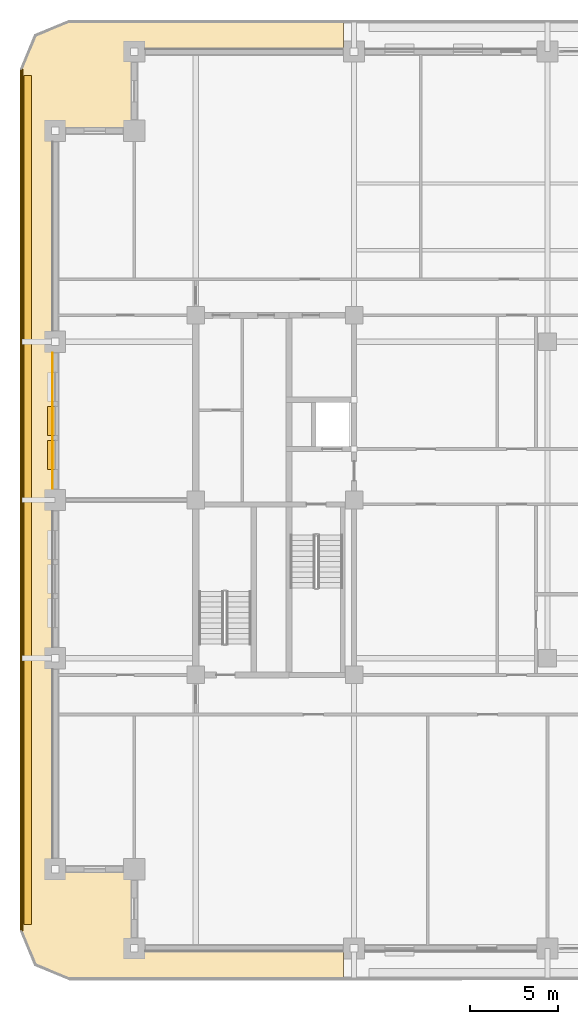
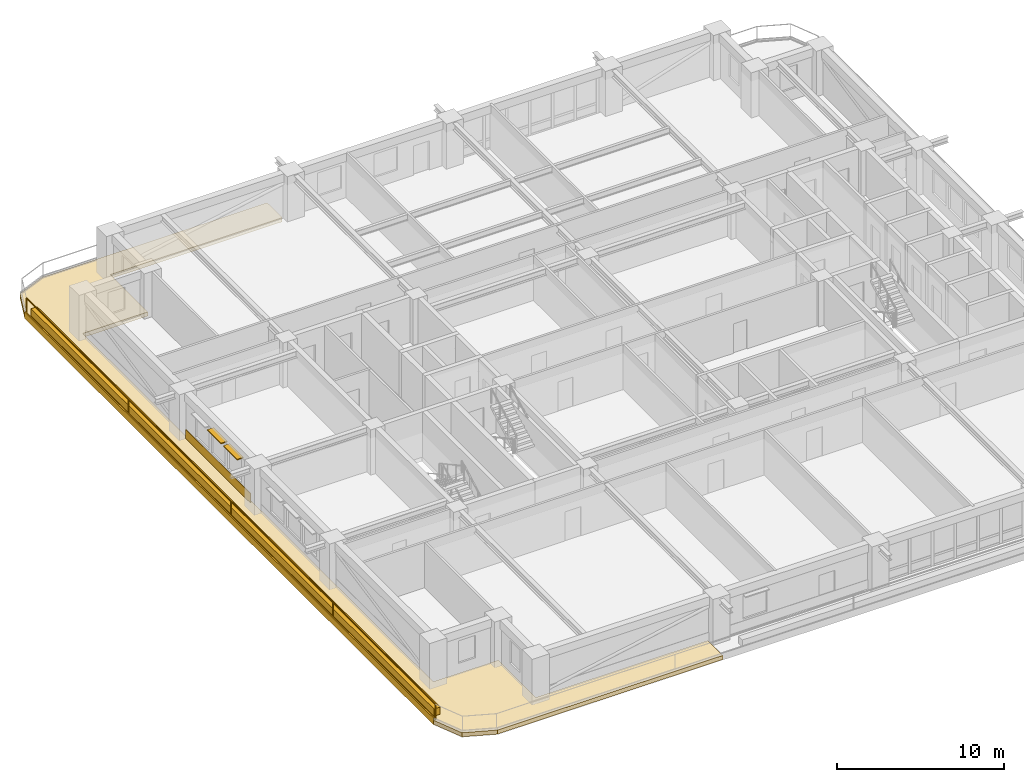
# One storey, part 15 of 20: 4 coverings, 2 shading devices, 1 railing.
"""IFC4 building model written with IfcOpenShell, lengths in metres."""

from ifc_helpers import new_model, si_unit, direction, frame, frame_2d, origin, origin_2d, place, context, subcontext, project, spatial, polyline, rectangle, outline, extrude, material, layer, layer_set, type_object, element, save


model = new_model("IFC4")

# Units and contexts
model_context = context("Model", 3, precision=1e-05, world=origin(), true_north=direction((0.0, 1.0)))
body_context = subcontext(model_context, "Body", "Model", "MODEL_VIEW")
ifc_project = project(units=[si_unit("LENGTHUNIT", "METRE"), si_unit("AREAUNIT", "SQUARE_METRE"), si_unit("VOLUMEUNIT", "CUBIC_METRE"), si_unit("PLANEANGLEUNIT", "RADIAN"), si_unit("MASSUNIT", "GRAM", prefix="KILO")], contexts=[model_context])

# Site, building, storey
site_placement = place(None, origin())
site = spatial("IfcSite", under=ifc_project, at=site_placement, CompositionType="ELEMENT")
building_placement = place(site_placement, origin())
building = spatial("IfcBuilding", under=site, at=building_placement, Name="Zulmaris Gate Convention Tower", CompositionType="ELEMENT")
storey_placement = place(building_placement, frame((0.0, 0.0, 142.769775390625)))
storey = spatial("IfcBuildingStorey", under=building, at=storey_placement, Name="L36", CompositionType="ELEMENT", Elevation=142.769775390625)

# Coverings
ifc_material_1 = material(Name="Precast concrete C40/50", Category="concrete")
ifc_layer_1 = layer(ifc_material_1, 0.0400390625, Name="Precast concrete C40/50")
ifc_layer_set_1 = layer_set([ifc_layer_1], Name="Precast concrete C40/50")
covering_type_1 = type_object("IfcCoveringType", Name="CLAD-SPANDREL-PRECAST", PredefinedType="CLADDING", material=ifc_layer_set_1)
covering_1_placement = place(storey_placement, frame((-28.14990234375, 8.3701171875, 0.0), z_axis=(0.0, 0.0, 1.0), x_axis=(0.0, -1.0, 0.0)))
element("IfcCovering", 1, at=covering_1_placement, inside=storey, type_object=covering_type_1, Name="CLD-L36-W-2_0", PredefinedType="CLADDING", context=body_context, shape_type="SweptSolid", body=[
    extrude(rectangle(XDim=7.740234375, YDim=0.0400390625, at=frame_2d((3.8701171875, 0.0))), origin(), (0.0, 0.0, 1.0), 0.679931640625),
])
ifc_material_2 = material(Name="White Glazed Architectural Precast Concrete C40/50", Category="concrete")
ifc_layer_2 = layer(ifc_material_2, 0.239990234375, Name="White Glazed Architectural Precast Concrete C40/50")
ifc_layer_set_2 = layer_set([ifc_layer_2], Name="White Glazed Architectural Precast Concrete C40/50")
covering_type_2 = type_object("IfcCoveringType", Name="CLAD-TRAY-DECK", PredefinedType="CLADDING", material=ifc_layer_set_2)
covering_2_placement = place(storey_placement, frame((0.0, 0.0, -0.324951171875)))
element("IfcCovering", 2, at=covering_2_placement, inside=storey, type_object=covering_type_2, Name="L36 West Rounded-Fascia Planter Tray Deck", PredefinedType="CLADDING", context=body_context, shape_type="SweptSolid", body=[
    extrude(outline(polyline([(-30.0, 24.5), (-29.179931640625, 26.47998046875), (-27.199951171875, 27.300048828125), (-11.60205078125, 27.300048828125), (-11.60205078125, 25.5), (-23.5, 25.5), (-23.5, 21.0), (-28.0, 21.0), (-28.0, -21.0), (-23.5, -21.0), (-23.5, -25.5), (-11.60205078125, -25.5), (-11.60205078125, -27.300048828125), (-27.199951171875, -27.300048828125), (-29.179931640625, -26.47998046875), (-30.0, -24.5), (-30.0, 24.5)])), origin(), (0.0, 0.0, 1.0), 0.300048828125),
])
ifc_layer_3 = layer(ifc_material_2, 0.080078125, Name="White Glazed Architectural Precast Concrete C40/50")
ifc_layer_set_3 = layer_set([ifc_layer_3], Name="White Glazed Architectural Precast Concrete C40/50")
covering_type_3 = type_object("IfcCoveringType", Name="CLAD-TRAY-FASCIA", PredefinedType="CLADDING", material=ifc_layer_set_3)
covering_3_placement = place(storey_placement, frame((-29.9599609375, 24.5, -0.364990234375), z_axis=(0.0, 0.0, 1.0), x_axis=(0.0, -1.0, 0.0)))
element("IfcCovering", 3, at=covering_3_placement, inside=storey, type_object=covering_type_3, Name="FSC-L36-TR-11", PredefinedType="CLADDING", context=body_context, shape_type="SweptSolid", body=[
    extrude(rectangle(XDim=49.0, YDim=0.080078125, at=frame_2d((24.5, 0.0))), origin(), (0.0, 0.0, 1.0), 0.5),
])
ifc_material_3 = material(Name="Botanical Green Glazed Precast Concrete C40/50", Category="concrete")
ifc_layer_4 = layer(ifc_material_3, 0.419921875, Name="Botanical Green Glazed Precast Concrete C40/50")
ifc_layer_set_4 = layer_set([ifc_layer_4], Name="Botanical Green Glazed Precast Concrete C40/50")
covering_type_4 = type_object("IfcCoveringType", Name="PLANTER-BOX-200", PredefinedType="CLADDING", material=ifc_layer_set_4)
covering_4_placement = place(storey_placement, frame((0.0, 0.0, -0.02490234375)))
element("IfcCovering", 4, at=covering_4_placement, inside=storey, type_object=covering_type_4, Name="L36 W Full-Length Balcony Tree Planter Trough", PredefinedType="CLADDING", context=body_context, shape_type="SweptSolid", body=[
    extrude(outline(polyline([(-29.760009765625, -24.14990234375), (-29.340087890625, -24.14990234375), (-29.340087890625, 24.14990234375), (-29.760009765625, 24.14990234375), (-29.760009765625, -24.14990234375)])), origin(), (0.0, 0.0, 1.0), 0.52001953125),
])

# Railing
ifc_material_4 = material(Name="Laminated Glass and Stainless Steel", Category="steel")
railing_type = type_object("IfcRailingType", Name="RL-BALC-1150", PredefinedType="BALUSTRADE", material=ifc_material_4)
railing_placement = place(storey_placement, frame((-29.8798828125, 24.5, -0.02490234375)))
element("IfcRailing", 5, at=railing_placement, inside=storey, type_object=railing_type, Name="RL-L36-BALC-W", PredefinedType="BALUSTRADE", context=body_context, shape_type="SweptSolid", body=[
    extrude(rectangle(XDim=0.048095703125, YDim=0.048095703125, at=origin_2d()), frame((0.0, 0.0, 1.1259765625), z_axis=(0.0, -1.0, 0.0), x_axis=(1.0, 0.0, 0.0)), (0.0, 0.0, 1.0), 49.0),
    extrude(rectangle(XDim=0.048095703125, YDim=0.048095703125, at=origin_2d()), frame((0.0, 0.0, 0.02392578125), z_axis=(0.0, -1.0, 0.0), x_axis=(1.0, 0.0, 0.0)), (0.0, 0.0, 1.0), 49.0),
    extrude(rectangle(XDim=0.0419921875, YDim=0.0419921875, at=origin_2d()), origin(), (0.0, 0.0, 1.0), 1.101806640625),
    extrude(rectangle(XDim=0.0419921875, YDim=0.0419921875, at=origin_2d()), frame((0.0, -12.25, 0.0)), (0.0, 0.0, 1.0), 1.101806640625),
    extrude(rectangle(XDim=0.0419921875, YDim=0.0419921875, at=origin_2d()), frame((0.0, -24.5, 0.0)), (0.0, 0.0, 1.0), 1.101806640625),
    extrude(rectangle(XDim=0.0419921875, YDim=0.0419921875, at=origin_2d()), frame((0.0, -36.75, 0.0)), (0.0, 0.0, 1.0), 1.101806640625),
    extrude(rectangle(XDim=0.0419921875, YDim=0.0419921875, at=origin_2d()), frame((0.0, -49.0, 0.0)), (0.0, 0.0, 1.0), 1.101806640625),
])

# Shading devices
ifc_material_5 = material(Name="Glazed Ceramic Terracotta", Category="masonry")
ifc_layer_5 = layer(ifc_material_5, 0.070068359375, Name="Glazed Ceramic Terracotta")
ifc_layer_set_5 = layer_set([ifc_layer_5], Name="Glazed Ceramic Terracotta")
shading_device_type = type_object("IfcShadingDeviceType", Name="SHD-SUNSHADE-TC", PredefinedType="AWNING", material=ifc_layer_set_5)
for number, where, z_axis, x_axis, name in (
    (6, (-28.219970703125, 5.324951171875, 2.530029296875), (0.0, 0.0, 1.0), (0.0, -1.0, 0.0), "SHD-EW-L36-W-2_0-2"),
    (7, (-28.219970703125, 3.389892578125, 2.530029296875), (0.0, 0.0, 1.0), (0.0, -1.0, 0.0), "SHD-EW-L36-W-2_0-3"),
):
    element("IfcShadingDevice", number, at=place(storey_placement, frame(where, z_axis=z_axis, x_axis=x_axis)), inside=storey, type_object=shading_device_type, Name=name, PredefinedType="AWNING", context=body_context, shape_type="SweptSolid", body=[
        extrude(rectangle(XDim=1.64990234375, YDim=0.43994140625, at=frame_2d((0.824951171875, 0.0))), origin(), (0.0, 0.0, 1.0), 0.070068359375),
    ])

save(model, "model.ifc")
